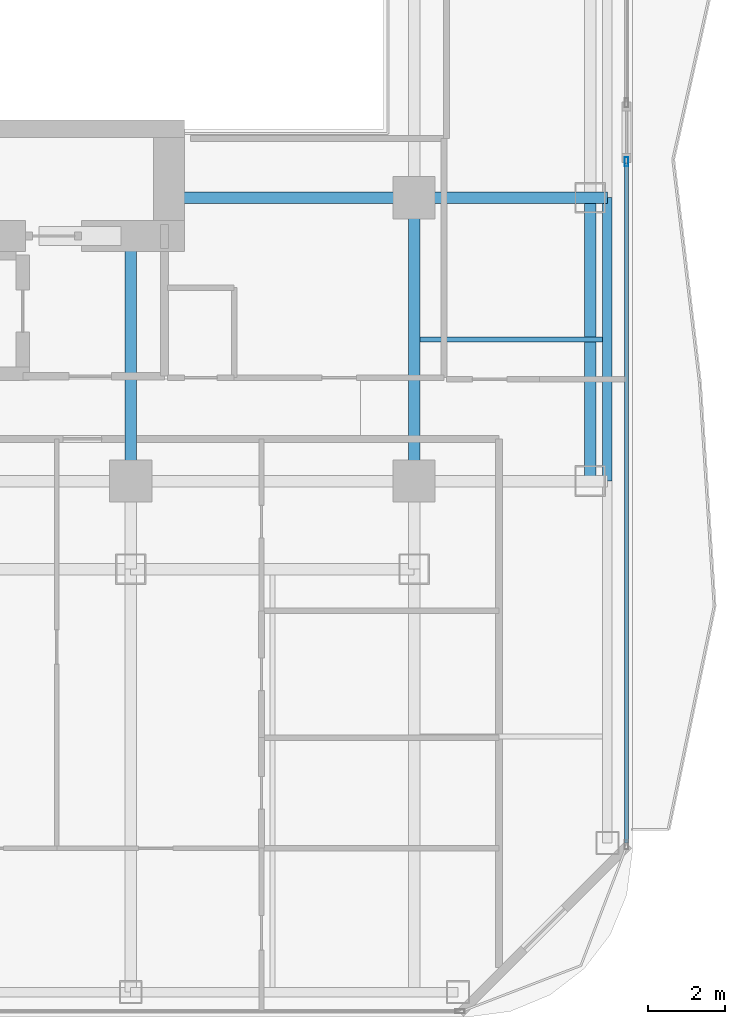
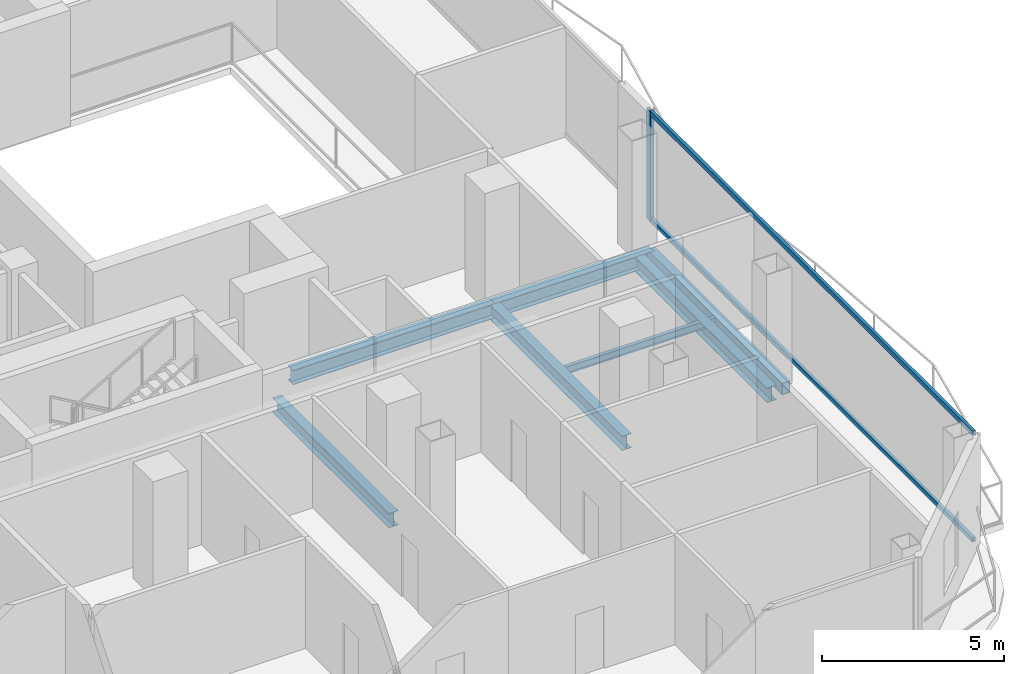
# One storey, part 8 of 23: 7 beams, 3 members, 1 element without a shape of its own.
"""IFC4 building model written with IfcOpenShell, lengths in metres."""

from ifc_helpers import new_model, si_unit, direction, frame, origin, origin_2d, place, context, subcontext, project, spatial, hollow_rectangle, i_section, extrude, material, layer, layer_set, material_profile, profile_set, type_object, element, aggregate, save


model = new_model("IFC4")

# Units and contexts
model_context = context("Model", 3, precision=1e-05, world=origin(), true_north=direction((0.0, 1.0)))
body_context = subcontext(model_context, "Body", "Model", "MODEL_VIEW")
ifc_project = project(units=[si_unit("LENGTHUNIT", "METRE"), si_unit("AREAUNIT", "SQUARE_METRE"), si_unit("VOLUMEUNIT", "CUBIC_METRE"), si_unit("PLANEANGLEUNIT", "RADIAN"), si_unit("MASSUNIT", "GRAM", prefix="KILO")], contexts=[model_context])

# Site, building, storey
site_placement = place(None, origin())
site = spatial("IfcSite", under=ifc_project, at=site_placement, CompositionType="ELEMENT")
building_placement = place(site_placement, origin())
building = spatial("IfcBuilding", under=site, at=building_placement, Name="Khorvyn Point Tower", CompositionType="ELEMENT")
storey_placement = place(building_placement, frame((0.0, 0.0, 199.199951171875)))
storey = spatial("IfcBuildingStorey", under=building, at=storey_placement, Name="L49", CompositionType="ELEMENT", Elevation=199.199951171875)

# Curtain wall, members
ifc_material_1 = material(Name="Anodised aluminium 6063-T6 and laminated Low-E glass", Category="aluminium")
ifc_layer = layer(ifc_material_1, 0.18994140625)
ifc_layer_set = layer_set([ifc_layer], Name="Stick-Built Acoustic Curtain Wall CW-SYS-03")
curtain_wall_type = type_object("IfcCurtainWallType", Name="Stick-Built Acoustic Curtain Wall CW-SYS-03", PredefinedType="NOTDEFINED", material=ifc_layer_set)
curtain_wall_placement = place(storey_placement, origin())
curtain_wall = element("IfcCurtainWall", 1, at=curtain_wall_placement, inside=storey, type_object=curtain_wall_type, Name="Curtain Wall", PredefinedType="NOTDEFINED")
ifc_material_2 = material(Name="Anodised aluminium 6063-T6", Category="aluminium")
ifc_material_profile_1 = material_profile(ifc_material_2, hollow_rectangle(XDim=0.10009765625, YDim=0.239990234375, WallThickness=0.0048828125, at=origin_2d()))
ifc_profile_set_1 = profile_set([ifc_material_profile_1], Name="Anodised aluminium 6063-T6 ALU-MUL-100x240")
member_type_1 = type_object("IfcMemberType", Name="Anodised Aluminium 6063-T6 Mullion ALU-MUL-100x240", PredefinedType="MULLION", material=ifc_profile_set_1)
member_1_placement = place(storey_placement, frame((20.35009765625, -6.4599609375, 0.0), z_axis=(0.0, 0.0, 1.0), x_axis=(1.0, 0.0, 0.0)))
member_1 = element("IfcMember", 2, at=member_1_placement, type_object=member_type_1, Name="Transom", PredefinedType="MULLION", context=body_context, shape_type="SweptSolid", body=[
    extrude(hollow_rectangle(XDim=0.10009765625, YDim=0.239990234375, WallThickness=0.0048828125, at=origin_2d()), origin(), (0.0, 0.0, 1.0), 3.679931640625),
])
ifc_material_profile_2 = material_profile(ifc_material_2, hollow_rectangle(XDim=0.10009765625, YDim=0.159912109375, WallThickness=0.00439453125, at=origin_2d()))
ifc_profile_set_2 = profile_set([ifc_material_profile_2], Name="Anodised aluminium 6063-T6 ALU-TRN-100x160")
member_type_2 = type_object("IfcMemberType", Name="Anodised Aluminium 6063-T6 Transom ALU-TRN-100x160", PredefinedType="USERDEFINED", material=ifc_profile_set_2)
member_2_placement = place(storey_placement, frame((20.35009765625, -6.510009765625, 0.050048828125), z_axis=(0.0, -1.0, 0.0), x_axis=(1.0, 0.0, 0.0)))
member_2 = element("IfcMember", 3, at=member_2_placement, type_object=member_type_2, Name="Transom", ObjectType="TRANSOM", PredefinedType="USERDEFINED", context=body_context, shape_type="SweptSolid", body=[
    extrude(hollow_rectangle(XDim=0.10009765625, YDim=0.159912109375, WallThickness=0.00439453125, at=origin_2d()), origin(), (0.0, 0.0, 1.0), 17.739990234375),
])
member_3_placement = place(storey_placement, frame((20.35009765625, -6.510009765625, 3.630126953125), z_axis=(0.0, -1.0, 0.0), x_axis=(1.0, 0.0, 0.0)))
member_3 = element("IfcMember", 4, at=member_3_placement, type_object=member_type_2, Name="Transom", ObjectType="TRANSOM", PredefinedType="USERDEFINED", context=body_context, shape_type="SweptSolid", body=[
    extrude(hollow_rectangle(XDim=0.10009765625, YDim=0.159912109375, WallThickness=0.00439453125, at=origin_2d()), origin(), (0.0, 0.0, 1.0), 17.739990234375),
])
aggregate(curtain_wall, [member_1, member_2, member_3])

# Beams
ifc_material_3 = material(Name="Steel S355", Category="steel")
ifc_material_profile_3 = material_profile(ifc_material_3, i_section(OverallWidth=0.125, OverallDepth=0.25, WebThickness=0.006103515625, FlangeThickness=0.009033203125, at=origin_2d()))
ifc_profile_set_3 = profile_set([ifc_material_profile_3], Name="Steel S355 H250x125x6x9")
beam_type_1 = type_object("IfcBeamType", Name="Steel S355 Joist H250x125x6x9", PredefinedType="JOIST", material=ifc_profile_set_3)
beam_1_placement = place(storey_placement, frame((14.949951171875, -11.10009765625, -0.344970703125), z_axis=(1.0, 0.0, 0.0), x_axis=(0.0, 1.0, 0.0)))
element("IfcBeam", 5, at=beam_1_placement, inside=storey, type_object=beam_type_1, Name="Beam", PredefinedType="JOIST", context=body_context, shape_type="SweptSolid", body=[
    extrude(i_section(OverallWidth=0.125, OverallDepth=0.25, WebThickness=0.006103515625, FlangeThickness=0.009033203125, at=origin_2d()), origin(), (0.0, 0.0, 1.0), 4.775146484375),
])
ifc_material_profile_4 = material_profile(ifc_material_3, i_section(OverallWidth=0.300048828125, OverallDepth=0.488037109375, WebThickness=0.010986328125, FlangeThickness=0.01806640625, at=origin_2d()))
ifc_profile_set_4 = profile_set([ifc_material_profile_4], Name="Steel S355 H488x300x11x18")
beam_type_2 = type_object("IfcBeamType", Name="Steel S355 Spandrel H488x300x11x18", PredefinedType="SPANDREL", material=ifc_profile_set_4)
beam_2_placement = place(storey_placement, frame((8.39990234375, -7.39990234375, -0.4638671875), z_axis=(1.0, 0.0, 0.0), x_axis=(0.0, 1.0, 0.0)))
element("IfcBeam", 6, at=beam_2_placement, inside=storey, type_object=beam_type_2, Name="Beam", PredefinedType="SPANDREL", context=body_context, shape_type="SweptSolid", body=[
    extrude(i_section(OverallWidth=0.300048828125, OverallDepth=0.488037109375, WebThickness=0.010986328125, FlangeThickness=0.01806640625, at=origin_2d()), origin(), (0.0, 0.0, 1.0), 6.400146484375),
])
beam_3_placement = place(storey_placement, frame((14.800048828125, -7.39990234375, -0.4638671875), z_axis=(1.0, 0.0, 0.0), x_axis=(0.0, 1.0, 0.0)))
element("IfcBeam", 7, at=beam_3_placement, inside=storey, type_object=beam_type_2, Name="Beam", PredefinedType="SPANDREL", context=body_context, shape_type="SweptSolid", body=[
    extrude(i_section(OverallWidth=0.300048828125, OverallDepth=0.488037109375, WebThickness=0.010986328125, FlangeThickness=0.01806640625, at=origin_2d()), origin(), (0.0, 0.0, 1.0), 5.050048828125),
])
beam_4_placement = place(storey_placement, frame((14.800048828125, -14.800048828125, -0.4638671875), z_axis=(0.0, 1.0, 0.0), x_axis=(-1.0, 0.0, 0.0)))
element("IfcBeam", 8, at=beam_4_placement, inside=storey, type_object=beam_type_2, Name="Beam", PredefinedType="SPANDREL", context=body_context, shape_type="SweptSolid", body=[
    extrude(i_section(OverallWidth=0.300048828125, OverallDepth=0.488037109375, WebThickness=0.010986328125, FlangeThickness=0.01806640625, at=origin_2d()), origin(), (0.0, 0.0, 1.0), 7.400146484375),
])
beam_5_placement = place(storey_placement, frame((7.39990234375, -14.800048828125, -0.4638671875), z_axis=(0.0, 1.0, 0.0), x_axis=(-1.0, 0.0, 0.0)))
element("IfcBeam", 9, at=beam_5_placement, inside=storey, type_object=beam_type_2, Name="Beam", PredefinedType="SPANDREL", context=body_context, shape_type="SweptSolid", body=[
    extrude(i_section(OverallWidth=0.300048828125, OverallDepth=0.488037109375, WebThickness=0.010986328125, FlangeThickness=0.01806640625, at=origin_2d()), origin(), (0.0, 0.0, 1.0), 6.400146484375),
])
beam_6_placement = place(storey_placement, frame((19.39990234375, -14.800048828125, -0.4638671875), z_axis=(0.0, 1.0, 0.0), x_axis=(-1.0, 0.0, 0.0)))
element("IfcBeam", 10, at=beam_6_placement, inside=storey, type_object=beam_type_2, Name="Beam", PredefinedType="SPANDREL", context=body_context, shape_type="SweptSolid", body=[
    extrude(i_section(OverallWidth=0.300048828125, OverallDepth=0.488037109375, WebThickness=0.010986328125, FlangeThickness=0.01806640625, at=origin_2d()), origin(), (0.0, 0.0, 1.0), 7.400146484375),
])
ifc_material_profile_5 = material_profile(ifc_material_3, hollow_rectangle(XDim=0.25, YDim=0.39990234375, WallThickness=0.01611328125, at=origin_2d()))
ifc_profile_set_5 = profile_set([ifc_material_profile_5], Name="Steel S355 RHS400x250x16")
beam_type_3 = type_object("IfcBeamType", Name="Steel S355 Spandrel RHS400x250x16", PredefinedType="SPANDREL", material=ifc_profile_set_5)
beam_7_placement = place(storey_placement, frame((19.85009765625, -14.800048828125, -0.419921875), z_axis=(0.0, 1.0, 0.0), x_axis=(-1.0, 0.0, 0.0)))
element("IfcBeam", 11, at=beam_7_placement, inside=storey, type_object=beam_type_3, Name="Beam", PredefinedType="SPANDREL", context=body_context, shape_type="SweptSolid", body=[
    extrude(hollow_rectangle(XDim=0.25, YDim=0.39990234375, WallThickness=0.01611328125, at=origin_2d()), origin(), (0.0, 0.0, 1.0), 7.400146484375),
])

save(model, "model.ifc")
